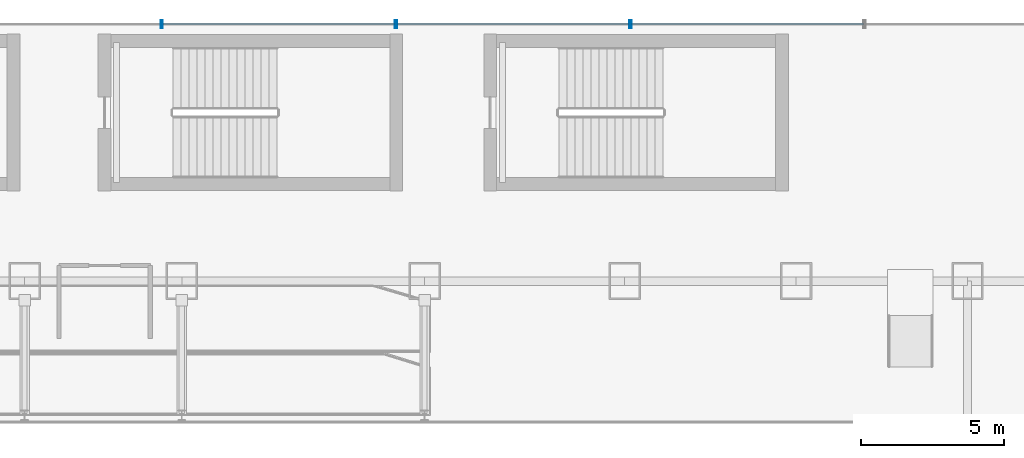
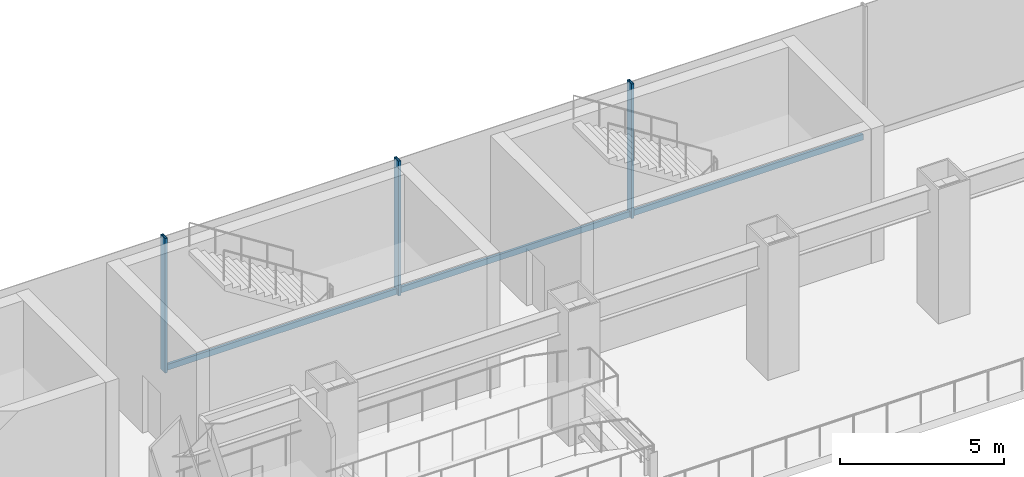
# One storey, part 17 of 39: 6 members, 1 element without a shape of its own.
"""IFC4 building model written with IfcOpenShell, lengths in metres."""

from ifc_helpers import new_model, si_unit, derived_unit, direction, frame, origin, origin_2d, place, context, subcontext, project, spatial, hollow_rectangle, extrude, source, transform, mapped, material, material_profile, profile_set, type_object, element, aggregate, save


model = new_model("IFC4")

# Units and contexts
model_context = context("Model", 3, precision=1e-05, world=origin(), true_north=direction((0.0, 1.0)))
body_context = subcontext(model_context, "Body", "Model", "MODEL_VIEW")
ifc_project = project(units=[si_unit("LENGTHUNIT", "METRE"), si_unit("AREAUNIT", "SQUARE_METRE"), si_unit("VOLUMEUNIT", "CUBIC_METRE"), si_unit("PLANEANGLEUNIT", "RADIAN"), si_unit("MASSUNIT", "GRAM", prefix="KILO"), derived_unit("THERMALTRANSMITTANCEUNIT", [(si_unit("POWERUNIT", "WATT"), 1), (si_unit("LENGTHUNIT", "METRE"), -2), (si_unit("THERMODYNAMICTEMPERATUREUNIT", "KELVIN"), -1)])], contexts=[model_context])

# Site, building, storey
site_placement = place(None, origin())
site = spatial("IfcSite", under=ifc_project, at=site_placement, CompositionType="ELEMENT")
building_placement = place(site_placement, origin())
building = spatial("IfcBuilding", under=site, at=building_placement, Name="Skarnbrae Concourse Arena and Tower", CompositionType="ELEMENT")
storey_placement = place(building_placement, frame((0.0, 0.0, 16.0)))
storey = spatial("IfcBuildingStorey", under=building, at=storey_placement, Name="L03", CompositionType="ELEMENT", Elevation=16.0)

# Curtain wall, members
ifc_material = material(Name="Bronze anodised aluminium 6063-T6", Category="aluminium")
curtain_wall_type = type_object("IfcCurtainWallType", Name="CW-SYS-01-PODIUM", PredefinedType="USERDEFINED", material=ifc_material)
curtain_wall_placement = place(storey_placement, origin())
curtain_wall = element("IfcCurtainWall", 1, at=curtain_wall_placement, inside=storey, type_object=curtain_wall_type, Name="L03 Unitised curtain wall CW-L03-N", ObjectType="UNITISED CURTAIN WALL", PredefinedType="USERDEFINED")
ifc_material_profile_1 = material_profile(ifc_material, hollow_rectangle(XDim=0.0849609375, YDim=0.280029296875, WallThickness=0.006103515625, at=origin_2d()), Name="ALU-MULL-85X280")
ifc_profile_set_1 = profile_set([ifc_material_profile_1], Name="Bronze anodised aluminium 6063-T6")
member_type_1 = type_object("IfcMemberType", Name="CWM-CW-01", PredefinedType="MULLION", material=ifc_profile_set_1)
shared_shape_1 = source(origin(), body_context, "Body", "SweptSolid", [
    extrude(hollow_rectangle(XDim=0.0849609375, YDim=0.280029296875, WallThickness=0.006103515625, at=origin_2d()), origin(), (0.0, 0.0, 1.0), 5.0),
])
member_1_placement = place(storey_placement, frame((49.199951171875, 56.0, 0.0), z_axis=(0.0, 0.0, 1.0), x_axis=(-1.0, 0.0, 0.0)))
member_1 = element("IfcMember", 2, at=member_1_placement, type_object=member_type_1, Name="CW-L03-N Mullion 5", PredefinedType="MULLION", context=body_context, shape_type="MappedRepresentation", body=[
    mapped(shared_shape_1, transform((0.0, 0.0, 0.0))),
])
member_2_placement = place(storey_placement, frame((41.0, 56.0, 0.0), z_axis=(0.0, 0.0, 1.0), x_axis=(-1.0, 0.0, 0.0)))
member_2 = element("IfcMember", 3, at=member_2_placement, type_object=member_type_1, Name="CW-L03-N Mullion 6", PredefinedType="MULLION", context=body_context, shape_type="MappedRepresentation", body=[
    mapped(shared_shape_1, transform((0.0, 0.0, 0.0))),
])
member_3_placement = place(storey_placement, frame((32.800048828125, 56.0, 0.0), z_axis=(0.0, 0.0, 1.0), x_axis=(-1.0, 0.0, 0.0)))
member_3 = element("IfcMember", 4, at=member_3_placement, type_object=member_type_1, Name="CW-L03-N Mullion 7", PredefinedType="MULLION", context=body_context, shape_type="MappedRepresentation", body=[
    mapped(shared_shape_1, transform((0.0, 0.0, 0.0))),
])
ifc_material_profile_2 = material_profile(ifc_material, hollow_rectangle(XDim=0.0849609375, YDim=0.219970703125, WallThickness=0.006103515625, at=origin_2d()), Name="ALU-TRAN-85X220")
ifc_profile_set_2 = profile_set([ifc_material_profile_2], Name="Bronze anodised aluminium 6063-T6")
member_type_2 = type_object("IfcMemberType", Name="CWT-CW-01", PredefinedType="USERDEFINED", material=ifc_profile_set_2)
shared_shape_2 = source(origin(), body_context, "Body", "SweptSolid", [
    extrude(hollow_rectangle(XDim=0.0849609375, YDim=0.219970703125, WallThickness=0.006103515625, at=origin_2d()), origin(), (0.0, 0.0, 1.0), 8.114990234375),
])
member_4_placement = place(storey_placement, frame((57.357421875, 56.0, 0.110107421875), z_axis=(-1.0, 0.0, 0.0), x_axis=(0.0, -1.0, 0.0)))
member_4 = element("IfcMember", 5, at=member_4_placement, type_object=member_type_2, Name="CW-L03-N Transom 4", ObjectType="TRANSOM", PredefinedType="USERDEFINED", context=body_context, shape_type="MappedRepresentation", body=[
    mapped(shared_shape_2, transform((0.0, 0.0, 0.0))),
])
member_5_placement = place(storey_placement, frame((49.157470703125, 56.0, 0.110107421875), z_axis=(-1.0, 0.0, 0.0), x_axis=(0.0, -1.0, 0.0)))
member_5 = element("IfcMember", 6, at=member_5_placement, type_object=member_type_2, Name="CW-L03-N Transom 5", ObjectType="TRANSOM", PredefinedType="USERDEFINED", context=body_context, shape_type="MappedRepresentation", body=[
    mapped(shared_shape_2, transform((0.0, 0.0, 0.0))),
])
member_6_placement = place(storey_placement, frame((40.95751953125, 56.0, 0.110107421875), z_axis=(-1.0, 0.0, 0.0), x_axis=(0.0, -1.0, 0.0)))
member_6 = element("IfcMember", 7, at=member_6_placement, type_object=member_type_2, Name="CW-L03-N Transom 6", ObjectType="TRANSOM", PredefinedType="USERDEFINED", context=body_context, shape_type="MappedRepresentation", body=[
    mapped(shared_shape_2, transform((0.0, 0.0, 0.0))),
])
aggregate(curtain_wall, [member_1, member_2, member_3, member_4, member_5, member_6])

save(model, "model.ifc")
